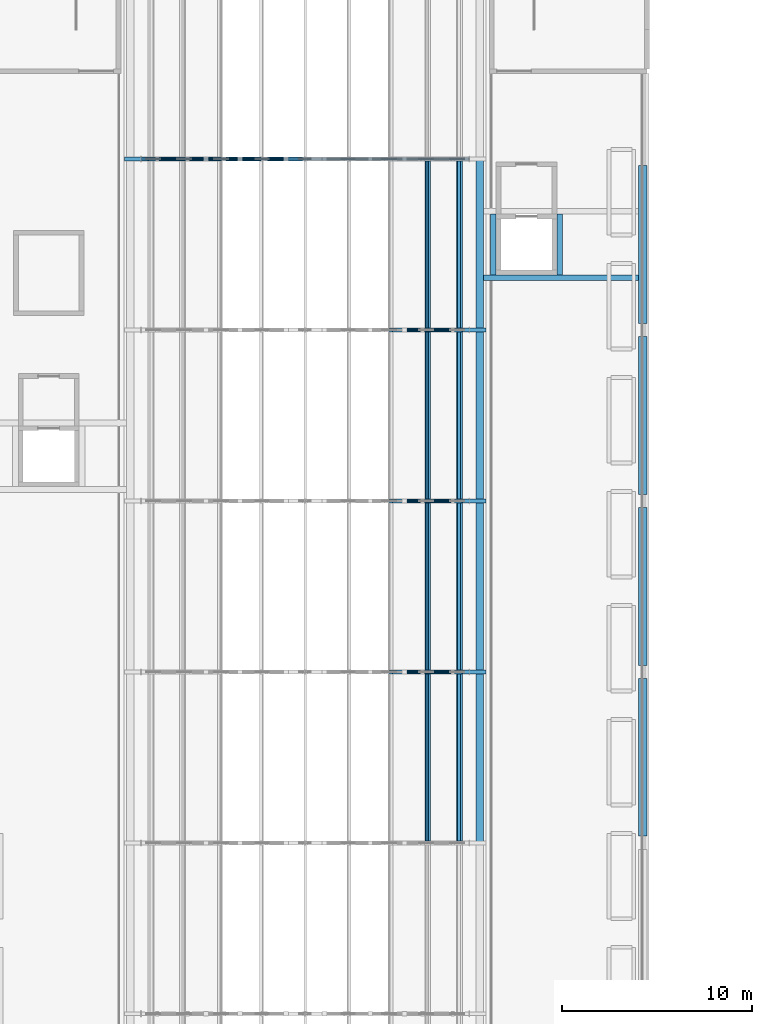
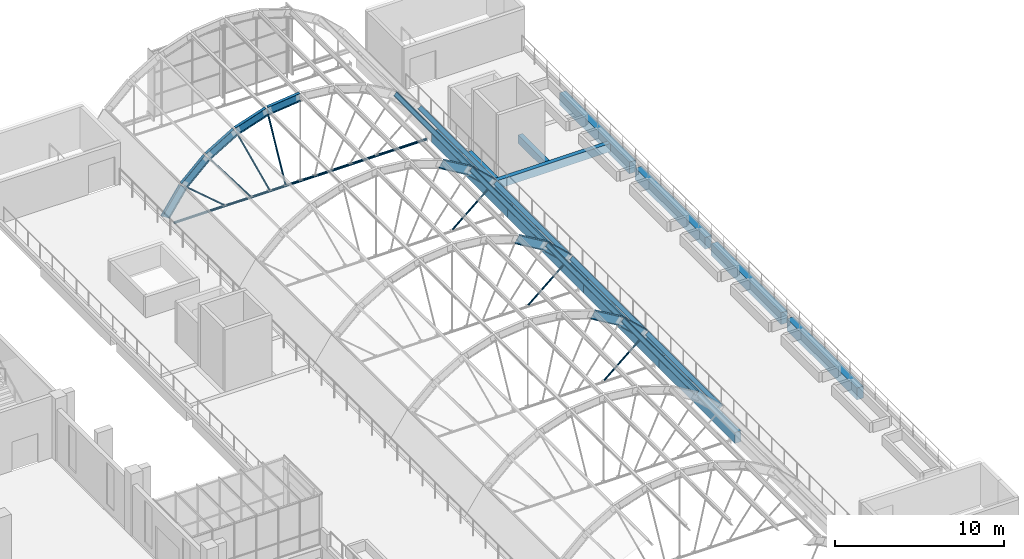
# One storey, part 25 of 79: 25 beams, 16 members.
"""IFC4 building model written with IfcOpenShell, lengths in metres."""

from ifc_helpers import new_model, si_unit, direction, frame, origin, origin_2d, place, context, subcontext, project, spatial, rectangle, hollow_circle, i_section, extrude, material, material_profile, profile_set, type_object, element, save


model = new_model("IFC4")

# Units and contexts
model_context = context("Model", 3, precision=1e-05, world=origin(), true_north=direction((0.0, 1.0)))
body_context = subcontext(model_context, "Body", "Model", "MODEL_VIEW")
ifc_project = project(units=[si_unit("LENGTHUNIT", "METRE"), si_unit("AREAUNIT", "SQUARE_METRE"), si_unit("VOLUMEUNIT", "CUBIC_METRE"), si_unit("PLANEANGLEUNIT", "RADIAN"), si_unit("MASSUNIT", "GRAM", prefix="KILO")], contexts=[model_context])

# Site, building, storey
site_placement = place(None, origin())
site = spatial("IfcSite", under=ifc_project, at=site_placement, CompositionType="ELEMENT")
building_placement = place(site_placement, origin())
building = spatial("IfcBuilding", under=site, at=building_placement, Name="Guidao Yard Department Store", CompositionType="ELEMENT")
storey_placement = place(building_placement, frame((0.0, 0.0, 15.0)))
storey = spatial("IfcBuildingStorey", under=building, at=storey_placement, Name="L03", CompositionType="ELEMENT", Elevation=15.0)

# Members
ifc_material_1 = material(Name="Steel Q355B", Category="steel")
ifc_material_profile_1 = material_profile(ifc_material_1, hollow_circle(Radius=0.056884765625, WallThickness=0.006103515625, at=origin_2d()), Name="CHS 114x6")
ifc_profile_set_1 = profile_set([ifc_material_profile_1], Name="Steel Q355B")
member_type_1 = type_object("IfcMemberType", Name="CHS 114x6", PredefinedType="BRACE", material=ifc_profile_set_1)
for number, where, z_axis, x_axis, name in (
    (1, (95.22509765625, 72.0, -0.360107421875), (0.760338516722, 0.0, 0.649527012516), (0.0, 1.0, 0.0), "Roof web strut C04-09"),
    (2, (95.22509765625, 81.0, -0.360107421875), (0.760338516722, 0.0, 0.649527012516), (0.0, 1.0, 0.0), "Roof web strut C05-09"),
    (3, (95.22509765625, 90.0, -0.360107421875), (0.760338516722, 0.0, 0.649527012516), (0.0, 1.0, 0.0), "Roof web strut C06-09"),
    (4, (84.77490234375, 99.0, -0.360107421875), (-0.760338516722, 0.0, 0.649527012516), (0.0, -1.0, 0.0), "Roof web strut C07-01"),
):
    element("IfcMember", number, at=place(storey_placement, frame(where, z_axis=z_axis, x_axis=x_axis)), inside=storey, type_object=member_type_1, Name=name, PredefinedType="BRACE", context=body_context, shape_type="SweptSolid", body=[
        extrude(hollow_circle(Radius=0.056884765625, WallThickness=0.006103515625, at=origin_2d()), origin(), (0.0, 0.0, 1.0), 3.357666015625),
    ])
member_1_placement = place(storey_placement, frame((86.575927734375, 99.0, -0.360107421875), z_axis=(-0.600934318152, 0.0, 0.799298408147), x_axis=(0.0, -1.0, 0.0)))
element("IfcMember", 5, at=member_1_placement, inside=storey, type_object=member_type_1, Name="Roof web strut C07-02", PredefinedType="BRACE", context=body_context, shape_type="SweptSolid", body=[
    extrude(hollow_circle(Radius=0.056884765625, WallThickness=0.006103515625, at=origin_2d()), origin(), (0.0, 0.0, 1.0), 4.596923828125),
])
member_2_placement = place(storey_placement, frame((87.890869140625, 99.0, -0.360107421875), z_axis=(-0.415142377249, 0.0, 0.909756454559), x_axis=(0.0, -1.0, 0.0)))
element("IfcMember", 6, at=member_2_placement, inside=storey, type_object=member_type_1, Name="Roof web strut C07-03", PredefinedType="BRACE", context=body_context, shape_type="SweptSolid", body=[
    extrude(hollow_circle(Radius=0.056884765625, WallThickness=0.006103515625, at=origin_2d()), origin(), (0.0, 0.0, 1.0), 5.271728515625),
])
member_3_placement = place(storey_placement, frame((88.98876953125, 99.0, -0.360107421875), z_axis=(-0.211899287995, 0.0, 0.977291508071), x_axis=(0.0, -1.0, 0.0)))
element("IfcMember", 7, at=member_3_placement, inside=storey, type_object=member_type_1, Name="Roof web strut C07-04", PredefinedType="BRACE", context=body_context, shape_type="SweptSolid", body=[
    extrude(hollow_circle(Radius=0.056884765625, WallThickness=0.006103515625, at=origin_2d()), origin(), (0.0, 0.0, 1.0), 5.619140625),
])
ifc_material_2 = material(Name="Steel Q355B", Category="steel")
ifc_material_profile_2 = material_profile(ifc_material_2, hollow_circle(Radius=0.083984375, WallThickness=0.008056640625, at=origin_2d()), Name="CHS 168x8")
ifc_profile_set_2 = profile_set([ifc_material_profile_2], Name="Steel Q355B")
member_type_2 = type_object("IfcMemberType", Name="CHS 168x8", PredefinedType="BRACE", material=ifc_profile_set_2)
member_4_placement = place(storey_placement, frame((81.35009765625, 99.0, -0.449951171875), z_axis=(1.0, 0.0, 0.0), x_axis=(0.0, 1.0, 0.0)))
element("IfcMember", 8, at=member_4_placement, inside=storey, type_object=member_type_2, Name="Roof tie rod C07", PredefinedType="BRACE", context=body_context, shape_type="SweptSolid", body=[
    extrude(hollow_circle(Radius=0.083984375, WallThickness=0.008056640625, at=origin_2d()), origin(), (0.0, 0.0, 1.0), 17.2998046875),
])

# Beams
ifc_material_3 = material(Name="Concrete C40", Category="concrete")
ifc_material_profile_3 = material_profile(ifc_material_3, rectangle(XDim=0.449951171875, YDim=0.85009765625, at=origin_2d()), Name="Garden roof spandrel beam 450 x 850 C40")
ifc_profile_set_3 = profile_set([ifc_material_profile_3], Name="Concrete C40")
beam_type_1 = type_object("IfcBeamType", Name="Garden roof spandrel beam 450 x 850 C40", PredefinedType="SPANDREL", material=ifc_profile_set_3)
for number, where, z_axis, x_axis, name in (
    (9, (107.77490234375, 63.35009765625, -0.425048828125), (0.0, 1.0, 0.0), (-1.0, 0.0, 0.0), "Beam EB53"),
    (10, (107.77490234375, 72.35009765625, -0.425048828125), (0.0, 1.0, 0.0), (-1.0, 0.0, 0.0), "Beam EB54"),
    (11, (107.77490234375, 81.35009765625, -0.425048828125), (0.0, 1.0, 0.0), (-1.0, 0.0, 0.0), "Beam EB55"),
    (12, (107.77490234375, 90.35009765625, -0.425048828125), (0.0, 1.0, 0.0), (-1.0, 0.0, 0.0), "Beam EB56"),
):
    element("IfcBeam", number, at=place(storey_placement, frame(where, z_axis=z_axis, x_axis=x_axis)), inside=storey, type_object=beam_type_1, Name=name, PredefinedType="SPANDREL", context=body_context, shape_type="SweptSolid", body=[
        extrude(rectangle(XDim=0.449951171875, YDim=0.85009765625, at=origin_2d()), origin(), (0.0, 0.0, 1.0), 8.2998046875),
    ])

# Members
ifc_material_4 = material(Name="Steel Q355B", Category="steel")
ifc_material_profile_4 = material_profile(ifc_material_4, i_section(OverallWidth=0.14990234375, OverallDepth=0.300048828125, WebThickness=0.006591796875, FlangeThickness=0.009033203125, FilletRadius=0.012939453125, at=origin_2d()), Name="HN 300x150x6.5x9")
ifc_profile_set_4 = profile_set([ifc_material_profile_4], Name="Steel Q355B")
member_type_3 = type_object("IfcMemberType", Name="HN 300x150x6.5x9", PredefinedType="PURLIN", material=ifc_profile_set_4)
for number, where, z_axis, x_axis, name in (
    (13, (96.4541015625, 63.10009765625, 3.670166015625), (0.0, 1.0, 0.0), (-0.79928350319, 0.0, 0.600954142617), "Roof purlin C03-08"),
    (14, (96.4541015625, 72.10009765625, 3.670166015625), (0.0, 1.0, 0.0), (-0.79928350319, 0.0, 0.600954142617), "Roof purlin C04-08"),
    (15, (96.4541015625, 81.10009765625, 3.670166015625), (0.0, 1.0, 0.0), (-0.79928350319, 0.0, 0.600954142617), "Roof purlin C05-08"),
    (16, (96.4541015625, 90.10009765625, 3.670166015625), (0.0, 1.0, 0.0), (-0.79928350319, 0.0, 0.600954142617), "Roof purlin C06-08"),
    (17, (98.11669921875, 63.10009765625, 2.110107421875), (0.0, 1.0, 0.0), (-0.649536869322, 0.0, 0.760330096334), "Roof purlin C03-09"),
    (18, (98.11669921875, 72.10009765625, 2.110107421875), (0.0, 1.0, 0.0), (-0.649536869322, 0.0, 0.760330096334), "Roof purlin C04-09"),
    (19, (98.11669921875, 81.10009765625, 2.110107421875), (0.0, 1.0, 0.0), (-0.649536869322, 0.0, 0.760330096334), "Roof purlin C05-09"),
    (20, (98.11669921875, 90.10009765625, 2.110107421875), (0.0, 1.0, 0.0), (-0.649536869322, 0.0, 0.760330096334), "Roof purlin C06-09"),
):
    element("IfcMember", number, at=place(storey_placement, frame(where, z_axis=z_axis, x_axis=x_axis)), inside=storey, type_object=member_type_3, Name=name, PredefinedType="PURLIN", context=body_context, shape_type="SweptSolid", body=[
        extrude(i_section(OverallWidth=0.14990234375, OverallDepth=0.300048828125, WebThickness=0.006591796875, FlangeThickness=0.009033203125, FilletRadius=0.012939453125, at=origin_2d()), origin(), (0.0, 0.0, 1.0), 8.7998046875),
    ])

# Beams
ifc_material_5 = material(Name="Steel Q355B", Category="steel")
ifc_material_profile_5 = material_profile(ifc_material_5, i_section(OverallWidth=0.199951171875, OverallDepth=0.60009765625, WebThickness=0.010986328125, FlangeThickness=0.01708984375, FilletRadius=0.012939453125, at=origin_2d()), Name="HN 600x200x11x17")
ifc_profile_set_5 = profile_set([ifc_material_profile_5], Name="Steel Q355B")
beam_type_2 = type_object("IfcBeamType", Name="HN 600x200x11x17", PredefinedType="BEAM", material=ifc_profile_set_5)
beam_1_placement = place(storey_placement, frame((94.45068359375, 72.0, 4.693603515625), z_axis=(0.859895907255, 0.0, -0.510469419933), x_axis=(0.0, 1.0, 0.0)))
element("IfcBeam", 21, at=beam_1_placement, inside=storey, type_object=beam_type_2, Name="Roof rib C04-08", PredefinedType="BEAM", context=body_context, shape_type="SweptSolid", body=[
    extrude(i_section(OverallWidth=0.199951171875, OverallDepth=0.60009765625, WebThickness=0.010986328125, FlangeThickness=0.01708984375, FilletRadius=0.012939453125, at=origin_2d()), origin(), (0.0, 0.0, 1.0), 2.19677734375),
])
beam_2_placement = place(storey_placement, frame((96.391845703125, 72.0, 3.532958984375), z_axis=(0.729181254966, 0.0, -0.684320610099), x_axis=(0.0, 1.0, 0.0)))
element("IfcBeam", 22, at=beam_2_placement, inside=storey, type_object=beam_type_2, Name="Roof rib C04-09", PredefinedType="BEAM", context=body_context, shape_type="SweptSolid", body=[
    extrude(i_section(OverallWidth=0.199951171875, OverallDepth=0.60009765625, WebThickness=0.010986328125, FlangeThickness=0.01708984375, FilletRadius=0.012939453125, at=origin_2d()), origin(), (0.0, 0.0, 1.0), 2.182373046875),
])
beam_3_placement = place(storey_placement, frame((98.026123046875, 72.0, 1.989501953125), z_axis=(0.561973245007, 0.0, -0.827155409761), x_axis=(0.0, 1.0, 0.0)))
element("IfcBeam", 23, at=beam_3_placement, inside=storey, type_object=beam_type_2, Name="Roof rib C04-10", PredefinedType="BEAM", context=body_context, shape_type="SweptSolid", body=[
    extrude(i_section(OverallWidth=0.199951171875, OverallDepth=0.60009765625, WebThickness=0.010986328125, FlangeThickness=0.01708984375, FilletRadius=0.012939453125, at=origin_2d()), origin(), (0.0, 0.0, 1.0), 2.201171875),
])
beam_4_placement = place(storey_placement, frame((94.45068359375, 81.0, 4.693603515625), z_axis=(0.859895907255, 0.0, -0.510469419933), x_axis=(0.0, 1.0, 0.0)))
element("IfcBeam", 24, at=beam_4_placement, inside=storey, type_object=beam_type_2, Name="Roof rib C05-08", PredefinedType="BEAM", context=body_context, shape_type="SweptSolid", body=[
    extrude(i_section(OverallWidth=0.199951171875, OverallDepth=0.60009765625, WebThickness=0.010986328125, FlangeThickness=0.01708984375, FilletRadius=0.012939453125, at=origin_2d()), origin(), (0.0, 0.0, 1.0), 2.19677734375),
])
beam_5_placement = place(storey_placement, frame((96.391845703125, 81.0, 3.532958984375), z_axis=(0.729181254966, 0.0, -0.684320610099), x_axis=(0.0, 1.0, 0.0)))
element("IfcBeam", 25, at=beam_5_placement, inside=storey, type_object=beam_type_2, Name="Roof rib C05-09", PredefinedType="BEAM", context=body_context, shape_type="SweptSolid", body=[
    extrude(i_section(OverallWidth=0.199951171875, OverallDepth=0.60009765625, WebThickness=0.010986328125, FlangeThickness=0.01708984375, FilletRadius=0.012939453125, at=origin_2d()), origin(), (0.0, 0.0, 1.0), 2.182373046875),
])
beam_6_placement = place(storey_placement, frame((98.026123046875, 81.0, 1.989501953125), z_axis=(0.561973245007, 0.0, -0.827155409761), x_axis=(0.0, 1.0, 0.0)))
element("IfcBeam", 26, at=beam_6_placement, inside=storey, type_object=beam_type_2, Name="Roof rib C05-10", PredefinedType="BEAM", context=body_context, shape_type="SweptSolid", body=[
    extrude(i_section(OverallWidth=0.199951171875, OverallDepth=0.60009765625, WebThickness=0.010986328125, FlangeThickness=0.01708984375, FilletRadius=0.012939453125, at=origin_2d()), origin(), (0.0, 0.0, 1.0), 2.201171875),
])
beam_7_placement = place(storey_placement, frame((94.45068359375, 90.0, 4.693603515625), z_axis=(0.859895907255, 0.0, -0.510469419933), x_axis=(0.0, 1.0, 0.0)))
element("IfcBeam", 27, at=beam_7_placement, inside=storey, type_object=beam_type_2, Name="Roof rib C06-08", PredefinedType="BEAM", context=body_context, shape_type="SweptSolid", body=[
    extrude(i_section(OverallWidth=0.199951171875, OverallDepth=0.60009765625, WebThickness=0.010986328125, FlangeThickness=0.01708984375, FilletRadius=0.012939453125, at=origin_2d()), origin(), (0.0, 0.0, 1.0), 2.19677734375),
])
beam_8_placement = place(storey_placement, frame((96.391845703125, 90.0, 3.532958984375), z_axis=(0.729181254966, 0.0, -0.684320610099), x_axis=(0.0, 1.0, 0.0)))
element("IfcBeam", 28, at=beam_8_placement, inside=storey, type_object=beam_type_2, Name="Roof rib C06-09", PredefinedType="BEAM", context=body_context, shape_type="SweptSolid", body=[
    extrude(i_section(OverallWidth=0.199951171875, OverallDepth=0.60009765625, WebThickness=0.010986328125, FlangeThickness=0.01708984375, FilletRadius=0.012939453125, at=origin_2d()), origin(), (0.0, 0.0, 1.0), 2.182373046875),
])
for number, where, z_axis, x_axis, name in (
    (29, (98.026123046875, 90.0, 1.989501953125), (0.561973245007, 0.0, -0.827155409761), (0.0, 1.0, 0.0), "Roof rib C06-10"),
    (30, (80.73681640625, 99.0, 0.168701171875), (0.561973245007, 0.0, 0.827155409761), (0.0, 1.0, 0.0), "Roof rib C07-01"),
):
    element("IfcBeam", number, at=place(storey_placement, frame(where, z_axis=z_axis, x_axis=x_axis)), inside=storey, type_object=beam_type_2, Name=name, PredefinedType="BEAM", context=body_context, shape_type="SweptSolid", body=[
        extrude(i_section(OverallWidth=0.199951171875, OverallDepth=0.60009765625, WebThickness=0.010986328125, FlangeThickness=0.01708984375, FilletRadius=0.012939453125, at=origin_2d()), origin(), (0.0, 0.0, 1.0), 2.201171875),
    ])
beam_9_placement = place(storey_placement, frame((82.016845703125, 99.0, 2.03955078125), z_axis=(0.729181254966, 0.0, 0.684320610099), x_axis=(0.0, 1.0, 0.0)))
element("IfcBeam", 31, at=beam_9_placement, inside=storey, type_object=beam_type_2, Name="Roof rib C07-02", PredefinedType="BEAM", context=body_context, shape_type="SweptSolid", body=[
    extrude(i_section(OverallWidth=0.199951171875, OverallDepth=0.60009765625, WebThickness=0.010986328125, FlangeThickness=0.01708984375, FilletRadius=0.012939453125, at=origin_2d()), origin(), (0.0, 0.0, 1.0), 2.182373046875),
])
beam_10_placement = place(storey_placement, frame((83.660400390625, 99.0, 3.572265625), z_axis=(0.859895907255, 0.0, 0.510469419933), x_axis=(0.0, 1.0, 0.0)))
element("IfcBeam", 32, at=beam_10_placement, inside=storey, type_object=beam_type_2, Name="Roof rib C07-03", PredefinedType="BEAM", context=body_context, shape_type="SweptSolid", body=[
    extrude(i_section(OverallWidth=0.199951171875, OverallDepth=0.60009765625, WebThickness=0.010986328125, FlangeThickness=0.01708984375, FilletRadius=0.012939453125, at=origin_2d()), origin(), (0.0, 0.0, 1.0), 2.19677734375),
])
beam_11_placement = place(storey_placement, frame((85.60791015625, 99.0, 4.720458984375), z_axis=(0.949091595418, 0.0, 0.31500022779), x_axis=(0.0, 1.0, 0.0)))
element("IfcBeam", 33, at=beam_11_placement, inside=storey, type_object=beam_type_2, Name="Roof rib C07-04", PredefinedType="BEAM", context=body_context, shape_type="SweptSolid", body=[
    extrude(i_section(OverallWidth=0.199951171875, OverallDepth=0.60009765625, WebThickness=0.010986328125, FlangeThickness=0.01708984375, FilletRadius=0.012939453125, at=origin_2d()), origin(), (0.0, 0.0, 1.0), 2.2080078125),
])
beam_12_placement = place(storey_placement, frame((87.766357421875, 99.0, 5.429443359375), z_axis=(0.994311656362, 0.0, 0.10650976492), x_axis=(0.0, 1.0, 0.0)))
element("IfcBeam", 34, at=beam_12_placement, inside=storey, type_object=beam_type_2, Name="Roof rib C07-05", PredefinedType="BEAM", context=body_context, shape_type="SweptSolid", body=[
    extrude(i_section(OverallWidth=0.199951171875, OverallDepth=0.60009765625, WebThickness=0.010986328125, FlangeThickness=0.01708984375, FilletRadius=0.012939453125, at=origin_2d()), origin(), (0.0, 0.0, 1.0), 2.21435546875),
])
ifc_material_6 = material(Name="Concrete C40", Category="concrete")
ifc_material_profile_6 = material_profile(ifc_material_6, rectangle(XDim=0.300048828125, YDim=0.60009765625, at=origin_2d()), Name="Opening beam 300 x 600 C40")
ifc_profile_set_6 = profile_set([ifc_material_profile_6], Name="Concrete C40")
beam_type_3 = type_object("IfcBeamType", Name="Opening beam 300 x 600 C40", PredefinedType="BEAM", material=ifc_profile_set_6)
beam_13_placement = place(storey_placement, frame((99.39990234375, 92.75, -0.300048828125), z_axis=(1.0, 0.0, 0.0), x_axis=(0.0, 1.0, 0.0)))
element("IfcBeam", 35, at=beam_13_placement, inside=storey, type_object=beam_type_3, Name="Beam OB29", PredefinedType="BEAM", context=body_context, shape_type="SweptSolid", body=[
    extrude(rectangle(XDim=0.300048828125, YDim=0.60009765625, at=origin_2d()), origin(), (0.0, 0.0, 1.0), 8.150146484375),
])
for number, where, z_axis, x_axis, name in (
    (36, (99.89990234375, 92.89990234375, -0.300048828125), (0.0, 1.0, 0.0), (-1.0, 0.0, 0.0), "Beam OB31"),
    (37, (103.39990234375, 92.89990234375, -0.300048828125), (0.0, 1.0, 0.0), (-1.0, 0.0, 0.0), "Beam OB32"),
):
    element("IfcBeam", number, at=place(storey_placement, frame(where, z_axis=z_axis, x_axis=x_axis)), inside=storey, type_object=beam_type_3, Name=name, PredefinedType="BEAM", context=body_context, shape_type="SweptSolid", body=[
        extrude(rectangle(XDim=0.300048828125, YDim=0.60009765625, at=origin_2d()), origin(), (0.0, 0.0, 1.0), 3.2001953125),
    ])
ifc_material_7 = material(Name="Concrete C40", Category="concrete")
ifc_material_profile_7 = material_profile(ifc_material_7, rectangle(XDim=0.39990234375, YDim=0.800048828125, at=origin_2d()), Name="Vault bearing beam 400 x 800 C40")
ifc_profile_set_7 = profile_set([ifc_material_profile_7], Name="Concrete C40")
beam_type_4 = type_object("IfcBeamType", Name="Vault bearing beam 400 x 800 C40", PredefinedType="BEAM", material=ifc_profile_set_7)
for number, where, z_axis, x_axis, name in (
    (38, (99.199951171875, 63.0, -0.39990234375), (0.0, 1.0, 0.0), (-1.0, 0.0, 0.0), "Beam VB10"),
    (39, (99.199951171875, 72.0, -0.39990234375), (0.0, 1.0, 0.0), (-1.0, 0.0, 0.0), "Beam VB11"),
    (40, (99.199951171875, 81.0, -0.39990234375), (0.0, 1.0, 0.0), (-1.0, 0.0, 0.0), "Beam VB12"),
    (41, (99.199951171875, 90.0, -0.39990234375), (0.0, 1.0, 0.0), (-1.0, 0.0, 0.0), "Beam VB13"),
):
    element("IfcBeam", number, at=place(storey_placement, frame(where, z_axis=z_axis, x_axis=x_axis)), inside=storey, type_object=beam_type_4, Name=name, PredefinedType="BEAM", context=body_context, shape_type="SweptSolid", body=[
        extrude(rectangle(XDim=0.39990234375, YDim=0.800048828125, at=origin_2d()), origin(), (0.0, 0.0, 1.0), 9.0),
    ])

save(model, "model.ifc")
